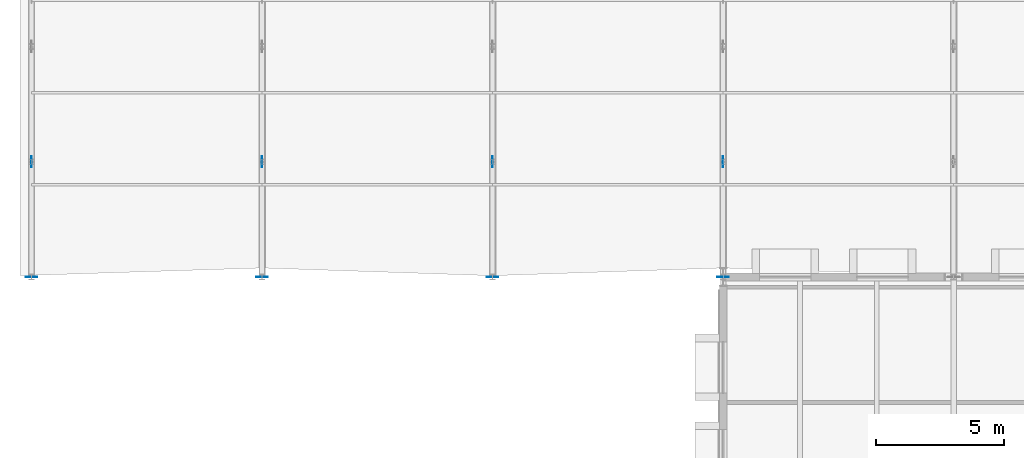
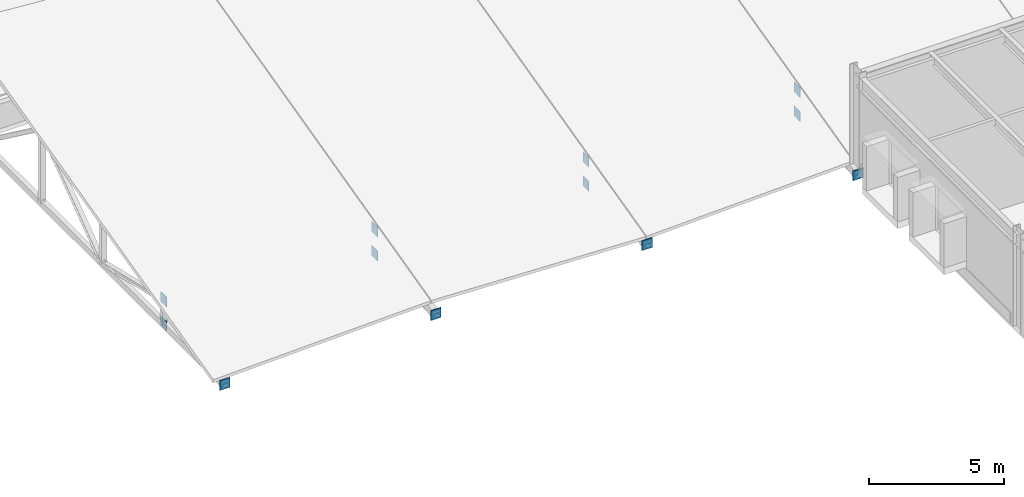
# One storey, part 46 of 67: 12 plates.
"""IFC4 building model written with IfcOpenShell, lengths in metres."""

import ifcopenshell
import ifcopenshell.guid

model = None  # the IFC model being written
_history = None  # IfcOwnerHistory: only IFC2X3 demands one
_inside = {}  # id of a spatial element -> (the spatial element, [elements in it])
_under = {}  # id of a project, library or spatial element -> (it, [spatial elements below it])
_declared = {}  # id of a project -> (the project, [libraries it declares])
_typed = {}  # id of a type object -> (the type object, [elements of that type])
_made_of = {}  # id of a material, layer set ... -> (it, [elements and type objects made of it])


def new_model(schema):
    """Start an empty IFC model of exactly this schema.

    Asked for "IFC4X3", IfcOpenShell would pick the latest addendum, in which some entities
    have other attributes; the version numbers below select the first issue.
    IFC2X3 requires an IfcOwnerHistory on every rooted entity: one is made here for all.
    """
    global model, _history
    if schema == "IFC4X3":
        model = ifcopenshell.file(schema_version=(4, 3, 0, 0))
    else:
        model = ifcopenshell.file(schema=schema)
    _inside.clear()
    _under.clear()
    _declared.clear()
    _typed.clear()
    _made_of.clear()
    _history = None
    if model.schema == "IFC2X3":
        org = make("IfcOrganization", Name="unknown")
        user = make(
            "IfcPersonAndOrganization",
            ThePerson=make("IfcPerson", FamilyName="unknown"),
            TheOrganization=org,
        )
        app = make(
            "IfcApplication",
            ApplicationDeveloper=org,
            Version="unknown",
            ApplicationFullName="unknown",
            ApplicationIdentifier="unknown",
        )
        _history = make(
            "IfcOwnerHistory",
            OwningUser=user,
            OwningApplication=app,
            ChangeAction="ADDED",
            CreationDate=0,
        )
    return model


def make(cls, **values):
    """One entity of the class cls with the attributes given. An attribute that is None is left unset."""
    return model.create_entity(
        cls, **{name: value for name, value in values.items() if value is not None}
    )


def rooted(cls, **values):
    """An entity with a GlobalId (a new one), such as an element, a storey or a relation."""
    return make(cls, GlobalId=ifcopenshell.guid.new(), OwnerHistory=_history, **values)


def si_unit(unit_type, name, prefix=None):
    """IfcSIUnit, for example si_unit("LENGTHUNIT", "METRE", prefix="MILLI")."""
    return make("IfcSIUnit", UnitType=unit_type, Prefix=prefix, Name=name)


def assignment(units):
    """IfcUnitAssignment: the units of a project."""
    return None if units is None else make("IfcUnitAssignment", Units=units)


def point(xyz):
    """IfcCartesianPoint."""
    return None if xyz is None else make("IfcCartesianPoint", Coordinates=xyz)


def direction(xyz):
    """IfcDirection."""
    return None if xyz is None else make("IfcDirection", DirectionRatios=xyz)


def frame(location, z_axis=None, x_axis=None):
    """IfcAxis2Placement3D, a coordinate frame: its origin and axes. An axis left out is left unset."""
    return make(
        "IfcAxis2Placement3D",
        Location=point(location),
        Axis=direction(z_axis),
        RefDirection=direction(x_axis),
    )


def frame_2d(location, x_axis=None):
    """IfcAxis2Placement2D, a coordinate frame in the plane: its origin and x axis."""
    return make(
        "IfcAxis2Placement2D", Location=point(location), RefDirection=direction(x_axis)
    )


def origin():
    """The frame at (0, 0, 0) with its axes left unset."""
    return frame((0.0, 0.0, 0.0))


def origin_2d():
    """The frame at (0, 0) in the plane with its x axis left unset."""
    return frame_2d((0.0, 0.0))


def place(relative_to, where):
    """IfcLocalPlacement: puts the frame where relative to a parent placement (None: the world)."""
    return make(
        "IfcLocalPlacement", PlacementRelTo=relative_to, RelativePlacement=where
    )


def context(
    kind, dimensions, precision=None, world=None, true_north=None, identifier=None
):
    """IfcGeometricRepresentationContext, for example the 3D "Model" context."""
    return make(
        "IfcGeometricRepresentationContext",
        ContextIdentifier=identifier,
        ContextType=kind,
        CoordinateSpaceDimension=dimensions,
        Precision=precision,
        WorldCoordinateSystem=world,
        TrueNorth=true_north,
    )


def subcontext(parent, identifier, kind, view, scale=None):
    """IfcGeometricRepresentationSubContext, for example "Body" below "Model"."""
    return make(
        "IfcGeometricRepresentationSubContext",
        ContextIdentifier=identifier,
        ContextType=kind,
        ParentContext=parent,
        TargetScale=scale,
        TargetView=view,
    )


def project(units=None, contexts=None):
    """IfcProject with its units and contexts."""
    return rooted(
        "IfcProject",
        Name="project",
        RepresentationContexts=contexts,
        UnitsInContext=assignment(units),
    )


def spatial(cls, under=None, at=None, **own):
    """A site, building, storey or space (cls), placed at a placement, below another one or the project."""
    s = rooted(cls, ObjectPlacement=at, **own)
    if under is not None:
        _under.setdefault(under.id(), (under, []))[1].append(s)
    return s


def profile(cls, at=None, kind="AREA", **sizes):
    """A parametric profile (cls). Its sizes go by their IFC names, for example OverallWidth=200.0."""
    return make(cls, ProfileType=kind, Position=at, **sizes)


def rectangle(**sizes):
    """IfcRectangleProfileDef."""
    return profile("IfcRectangleProfileDef", **sizes)


def extrude(swept, where, along, depth):
    """IfcExtrudedAreaSolid: the profile swept, set in the frame where, extruded along a direction by depth."""
    return make(
        "IfcExtrudedAreaSolid",
        SweptArea=swept,
        Position=where,
        ExtrudedDirection=direction(along),
        Depth=depth,
    )


def shape(context_of_items, identifier, shape_type, items):
    """IfcShapeRepresentation: the items that make up one representation, for example the "Body"."""
    return make(
        "IfcShapeRepresentation",
        ContextOfItems=context_of_items,
        RepresentationIdentifier=identifier,
        RepresentationType=shape_type,
        Items=items,
    )


def material(Name=None, Category=None):
    """IfcMaterial."""
    return make("IfcMaterial", Name=Name, Category=Category)


def layer(
    of_material, thickness, ventilated=None, Name=None, Category=None, Priority=None
):
    """IfcMaterialLayer: one layer of a wall or slab, of a material (None: an air gap)."""
    return make(
        "IfcMaterialLayer",
        Material=of_material,
        LayerThickness=thickness,
        IsVentilated=ventilated,
        Name=Name,
        Category=Category,
        Priority=Priority,
    )


def layer_set(layers, Name=None):
    """IfcMaterialLayerSet."""
    return make("IfcMaterialLayerSet", MaterialLayers=layers, LayerSetName=Name)


def made_of(thing, what):
    """Note that an element or type object is made of a material, layer set ...; save() writes the relation."""
    if what is not None:
        _made_of.setdefault(what.id(), (what, []))[1].append(thing)
    return thing


def type_object(cls, material=None, **own):
    """A type object (cls), such as IfcWallType, which elements share."""
    return made_of(rooted(cls, **own), material)


def element(
    cls,
    number,
    at=None,
    inside=None,
    cuts=None,
    type_object=None,
    material=None,
    context=None,
    identifier="Body",
    shape_type=None,
    held_by="IfcProductDefinitionShape",
    body=None,
    shapes=None,
    **own,
):
    """One element of the class cls, such as IfcWall. Its Tag is "e" and its number.

    at: its placement. inside: the storey or other place that contains it. cuts: it is an
    opening in that element (IfcRelVoidsElement). A single representation is given by context,
    identifier, shape_type and body (its items); several are given by shapes. held_by: the class
    of the entity that holds the representations. save() writes the other relations.
    """
    e = rooted(cls, Tag="e%d" % number, ObjectPlacement=at, **own)
    if body is not None:
        shapes = [shape(context, identifier, shape_type, body)]
    if shapes is not None:
        e.Representation = make(held_by, Representations=shapes)
    if inside is not None:
        _inside.setdefault(inside.id(), (inside, []))[1].append(e)
    if cuts is not None:
        rooted(
            "IfcRelVoidsElement", RelatingBuildingElement=cuts, RelatedOpeningElement=e
        )
    if type_object is not None:
        _typed.setdefault(type_object.id(), (type_object, []))[1].append(e)
    return made_of(e, material)


def aggregate(whole, parts):
    """IfcRelAggregates: a whole, such as a stair, and the parts it consists of."""
    return rooted("IfcRelAggregates", RelatingObject=whole, RelatedObjects=parts)


def save(model, path):
    """Write the relations noted so far, then the file.

    IfcRelAggregates (storeys below a building ...), IfcRelContainedInSpatialStructure (elements
    in a storey), IfcRelDefinesByType, IfcRelAssociatesMaterial and IfcRelDeclares: one each for
    every whole, place, type object, material and project.
    """
    for whole, parts in _under.values():
        aggregate(whole, parts)
    for where, things in _inside.values():
        rooted(
            "IfcRelContainedInSpatialStructure",
            RelatedElements=things,
            RelatingStructure=where,
        )
    for kind, things in _typed.values():
        rooted("IfcRelDefinesByType", RelatedObjects=things, RelatingType=kind)
    for what, things in _made_of.values():
        rooted("IfcRelAssociatesMaterial", RelatedObjects=things, RelatingMaterial=what)
    for by, libraries in _declared.values():
        rooted("IfcRelDeclares", RelatingContext=by, RelatedDefinitions=libraries)
    model.write(path)


model = new_model("IFC4")

# Units and contexts
model_context = context("Model", 3, precision=1e-05, world=origin(), true_north=direction((0.0, 1.0)))
body_context = subcontext(model_context, "Body", "Model", "MODEL_VIEW")
ifc_project = project(units=[si_unit("LENGTHUNIT", "METRE"), si_unit("AREAUNIT", "SQUARE_METRE"), si_unit("VOLUMEUNIT", "CUBIC_METRE"), si_unit("PLANEANGLEUNIT", "RADIAN"), si_unit("MASSUNIT", "GRAM", prefix="KILO")], contexts=[model_context])

# Site, building, storey
site_placement = place(None, origin())
site = spatial("IfcSite", under=ifc_project, at=site_placement, CompositionType="ELEMENT")
building_placement = place(site_placement, origin())
building = spatial("IfcBuilding", under=site, at=building_placement, Name="Montelvaro Courts of Justice", CompositionType="ELEMENT")
storey_placement = place(building_placement, frame((0.0, 0.0, 18.89990234375)))
storey = spatial("IfcBuildingStorey", under=building, at=storey_placement, Name="L04", CompositionType="ELEMENT", Elevation=18.89990234375)

# Plates
ifc_material = material(Name="Steel S355", Category="steel")
ifc_layer_1 = layer(ifc_material, 0.035888671875)
ifc_layer_set_1 = layer_set([ifc_layer_1], Name="Steel S355")
plate_type_1 = type_object("IfcPlateType", Name="EndCapPlate_36", PredefinedType="USERDEFINED", material=ifc_layer_set_1)
for number, where, z_axis, x_axis, name in (
    (1, (18.0, 24.0, -0.519775390625), (0.0, 0.0, 1.0), (1.0, 0.0, 0.0), "Roof Truss End Cap Plate CP-02 ROOF-V3-VTR01-B0"),
    (2, (27.0, 24.0, -0.519775390625), (0.0, 0.0, 1.0), (1.0, 0.0, 0.0), "Roof Truss End Cap Plate CP-02 ROOF-V3-VTR02-B0"),
    (3, (36.0, 24.0, -0.519775390625), (0.0, 0.0, 1.0), (1.0, 0.0, 0.0), "Roof Truss End Cap Plate CP-02 ROOF-V3-VTR03-B0"),
    (4, (45.0, 24.0, -0.519775390625), (0.0, 0.0, 1.0), (1.0, 0.0, 0.0), "Roof Truss End Cap Plate CP-02 ROOF-V3-VTR04-B0"),
):
    element("IfcPlate", number, at=place(storey_placement, frame(where, z_axis=z_axis, x_axis=x_axis)), inside=storey, type_object=plate_type_1, Name=name, ObjectType="GUSSET PLATE", PredefinedType="USERDEFINED", context=body_context, shape_type="SweptSolid", body=[
        extrude(rectangle(XDim=0.43994140625, YDim=0.035888671875, at=origin_2d()), origin(), (0.0, 0.0, 1.0), 0.43994140625),
    ])
ifc_layer_2 = layer(ifc_material, 0.02001953125)
ifc_layer_set_2 = layer_set([ifc_layer_2], Name="Steel S355")
plate_type_2 = type_object("IfcPlateType", Name="GussetPlate_20", PredefinedType="USERDEFINED", material=ifc_layer_set_2)
for number, where, z_axis, x_axis, name in (
    (5, (18.0, 28.5, -0.519775390625), (0.0, 0.0, 1.0), (1.0, 0.0, 0.0), "Roof Truss Gusset Plate GP-01 ROOF-V3-VTR01-1B"),
    (6, (18.0, 28.5, 0.55517578125), (0.0, 0.0, 1.0), (1.0, 0.0, 0.0), "Roof Truss Gusset Plate GP-01 ROOF-V3-VTR01-1T"),
    (7, (27.0, 28.5, -0.519775390625), (0.0, 0.0, 1.0), (1.0, 0.0, 0.0), "Roof Truss Gusset Plate GP-01 ROOF-V3-VTR02-1B"),
    (8, (27.0, 28.5, 0.55517578125), (0.0, 0.0, 1.0), (1.0, 0.0, 0.0), "Roof Truss Gusset Plate GP-01 ROOF-V3-VTR02-1T"),
    (9, (36.0, 28.5, -0.519775390625), (0.0, 0.0, 1.0), (1.0, 0.0, 0.0), "Roof Truss Gusset Plate GP-01 ROOF-V3-VTR03-1B"),
    (10, (36.0, 28.5, 0.55517578125), (0.0, 0.0, 1.0), (1.0, 0.0, 0.0), "Roof Truss Gusset Plate GP-01 ROOF-V3-VTR03-1T"),
    (11, (45.0, 28.5, -0.519775390625), (0.0, 0.0, 1.0), (1.0, 0.0, 0.0), "Roof Truss Gusset Plate GP-01 ROOF-V3-VTR04-1B"),
    (12, (45.0, 28.5, 0.55517578125), (0.0, 0.0, 1.0), (1.0, 0.0, 0.0), "Roof Truss Gusset Plate GP-01 ROOF-V3-VTR04-1T"),
):
    element("IfcPlate", number, at=place(storey_placement, frame(where, z_axis=z_axis, x_axis=x_axis)), inside=storey, type_object=plate_type_2, Name=name, ObjectType="GUSSET PLATE", PredefinedType="USERDEFINED", context=body_context, shape_type="SweptSolid", body=[
        extrude(rectangle(XDim=0.02001953125, YDim=0.43994140625, at=origin_2d()), origin(), (0.0, 0.0, 1.0), 0.43994140625),
    ])

save(model, "model.ifc")
